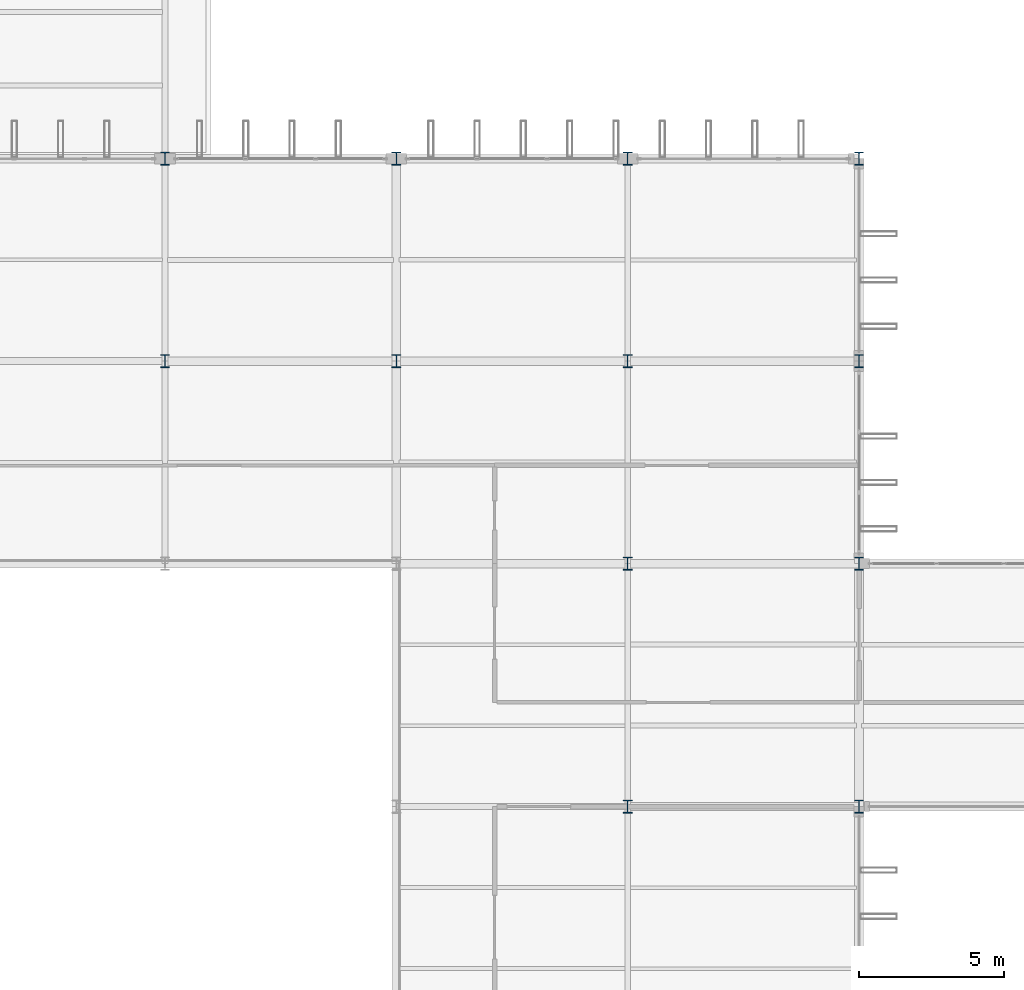
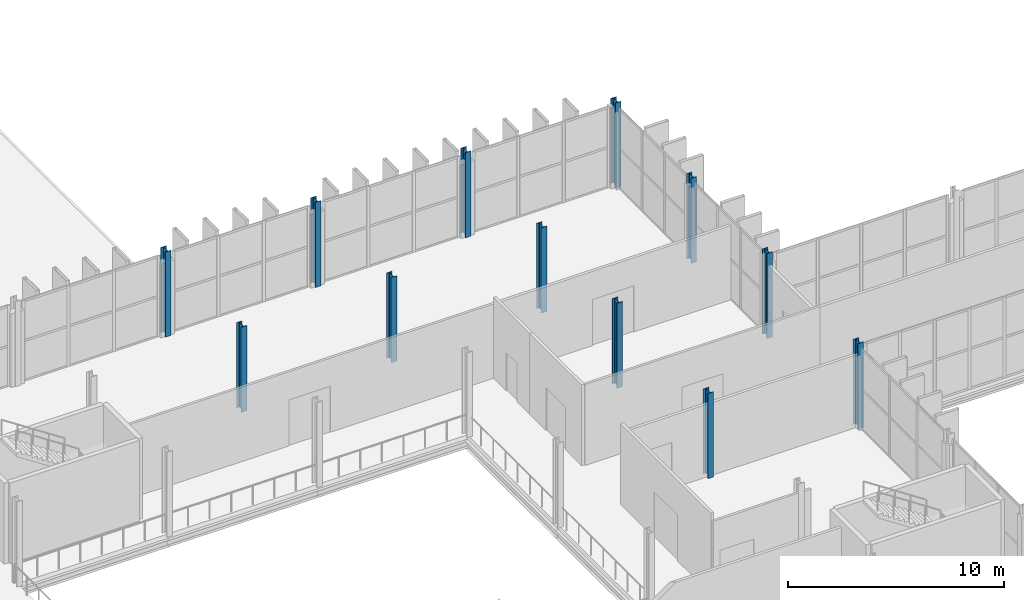
# One storey, part 10 of 120: 12 columns.
"""IFC4 building model written with IfcOpenShell, lengths in metres."""

import ifcopenshell
import ifcopenshell.guid

model = None  # the IFC model being written
_history = None  # IfcOwnerHistory: only IFC2X3 demands one
_inside = {}  # id of a spatial element -> (the spatial element, [elements in it])
_under = {}  # id of a project, library or spatial element -> (it, [spatial elements below it])
_declared = {}  # id of a project -> (the project, [libraries it declares])
_typed = {}  # id of a type object -> (the type object, [elements of that type])
_made_of = {}  # id of a material, layer set ... -> (it, [elements and type objects made of it])


def new_model(schema):
    """Start an empty IFC model of exactly this schema.

    Asked for "IFC4X3", IfcOpenShell would pick the latest addendum, in which some entities
    have other attributes; the version numbers below select the first issue.
    IFC2X3 requires an IfcOwnerHistory on every rooted entity: one is made here for all.
    """
    global model, _history
    if schema == "IFC4X3":
        model = ifcopenshell.file(schema_version=(4, 3, 0, 0))
    else:
        model = ifcopenshell.file(schema=schema)
    _inside.clear()
    _under.clear()
    _declared.clear()
    _typed.clear()
    _made_of.clear()
    _history = None
    if model.schema == "IFC2X3":
        org = make("IfcOrganization", Name="unknown")
        user = make(
            "IfcPersonAndOrganization",
            ThePerson=make("IfcPerson", FamilyName="unknown"),
            TheOrganization=org,
        )
        app = make(
            "IfcApplication",
            ApplicationDeveloper=org,
            Version="unknown",
            ApplicationFullName="unknown",
            ApplicationIdentifier="unknown",
        )
        _history = make(
            "IfcOwnerHistory",
            OwningUser=user,
            OwningApplication=app,
            ChangeAction="ADDED",
            CreationDate=0,
        )
    return model


def make(cls, **values):
    """One entity of the class cls with the attributes given. An attribute that is None is left unset."""
    return model.create_entity(
        cls, **{name: value for name, value in values.items() if value is not None}
    )


def rooted(cls, **values):
    """An entity with a GlobalId (a new one), such as an element, a storey or a relation."""
    return make(cls, GlobalId=ifcopenshell.guid.new(), OwnerHistory=_history, **values)


def si_unit(unit_type, name, prefix=None):
    """IfcSIUnit, for example si_unit("LENGTHUNIT", "METRE", prefix="MILLI")."""
    return make("IfcSIUnit", UnitType=unit_type, Prefix=prefix, Name=name)


def assignment(units):
    """IfcUnitAssignment: the units of a project."""
    return None if units is None else make("IfcUnitAssignment", Units=units)


def point(xyz):
    """IfcCartesianPoint."""
    return None if xyz is None else make("IfcCartesianPoint", Coordinates=xyz)


def direction(xyz):
    """IfcDirection."""
    return None if xyz is None else make("IfcDirection", DirectionRatios=xyz)


def frame(location, z_axis=None, x_axis=None):
    """IfcAxis2Placement3D, a coordinate frame: its origin and axes. An axis left out is left unset."""
    return make(
        "IfcAxis2Placement3D",
        Location=point(location),
        Axis=direction(z_axis),
        RefDirection=direction(x_axis),
    )


def frame_2d(location, x_axis=None):
    """IfcAxis2Placement2D, a coordinate frame in the plane: its origin and x axis."""
    return make(
        "IfcAxis2Placement2D", Location=point(location), RefDirection=direction(x_axis)
    )


def origin():
    """The frame at (0, 0, 0) with its axes left unset."""
    return frame((0.0, 0.0, 0.0))


def origin_2d():
    """The frame at (0, 0) in the plane with its x axis left unset."""
    return frame_2d((0.0, 0.0))


def place(relative_to, where):
    """IfcLocalPlacement: puts the frame where relative to a parent placement (None: the world)."""
    return make(
        "IfcLocalPlacement", PlacementRelTo=relative_to, RelativePlacement=where
    )


def context(
    kind, dimensions, precision=None, world=None, true_north=None, identifier=None
):
    """IfcGeometricRepresentationContext, for example the 3D "Model" context."""
    return make(
        "IfcGeometricRepresentationContext",
        ContextIdentifier=identifier,
        ContextType=kind,
        CoordinateSpaceDimension=dimensions,
        Precision=precision,
        WorldCoordinateSystem=world,
        TrueNorth=true_north,
    )


def subcontext(parent, identifier, kind, view, scale=None):
    """IfcGeometricRepresentationSubContext, for example "Body" below "Model"."""
    return make(
        "IfcGeometricRepresentationSubContext",
        ContextIdentifier=identifier,
        ContextType=kind,
        ParentContext=parent,
        TargetScale=scale,
        TargetView=view,
    )


def project(units=None, contexts=None):
    """IfcProject with its units and contexts."""
    return rooted(
        "IfcProject",
        Name="project",
        RepresentationContexts=contexts,
        UnitsInContext=assignment(units),
    )


def spatial(cls, under=None, at=None, **own):
    """A site, building, storey or space (cls), placed at a placement, below another one or the project."""
    s = rooted(cls, ObjectPlacement=at, **own)
    if under is not None:
        _under.setdefault(under.id(), (under, []))[1].append(s)
    return s


def profile(cls, at=None, kind="AREA", **sizes):
    """A parametric profile (cls). Its sizes go by their IFC names, for example OverallWidth=200.0."""
    return make(cls, ProfileType=kind, Position=at, **sizes)


def i_section(**sizes):
    """IfcIShapeProfileDef."""
    return profile("IfcIShapeProfileDef", **sizes)


def extrude(swept, where, along, depth):
    """IfcExtrudedAreaSolid: the profile swept, set in the frame where, extruded along a direction by depth."""
    return make(
        "IfcExtrudedAreaSolid",
        SweptArea=swept,
        Position=where,
        ExtrudedDirection=direction(along),
        Depth=depth,
    )


def shape(context_of_items, identifier, shape_type, items):
    """IfcShapeRepresentation: the items that make up one representation, for example the "Body"."""
    return make(
        "IfcShapeRepresentation",
        ContextOfItems=context_of_items,
        RepresentationIdentifier=identifier,
        RepresentationType=shape_type,
        Items=items,
    )


def material(Name=None, Category=None):
    """IfcMaterial."""
    return make("IfcMaterial", Name=Name, Category=Category)


def material_profile(
    of_material, cross_section, Name=None, Category=None, Priority=None
):
    """IfcMaterialProfile: a cross section and its material."""
    return make(
        "IfcMaterialProfile",
        Name=Name,
        Material=of_material,
        Profile=cross_section,
        Priority=Priority,
        Category=Category,
    )


def profile_set(profiles, Name=None, composite=None):
    """IfcMaterialProfileSet."""
    return make(
        "IfcMaterialProfileSet",
        Name=Name,
        MaterialProfiles=profiles,
        CompositeProfile=composite,
    )


def made_of(thing, what):
    """Note that an element or type object is made of a material, layer set ...; save() writes the relation."""
    if what is not None:
        _made_of.setdefault(what.id(), (what, []))[1].append(thing)
    return thing


def type_object(cls, material=None, **own):
    """A type object (cls), such as IfcWallType, which elements share."""
    return made_of(rooted(cls, **own), material)


def element(
    cls,
    number,
    at=None,
    inside=None,
    cuts=None,
    type_object=None,
    material=None,
    context=None,
    identifier="Body",
    shape_type=None,
    held_by="IfcProductDefinitionShape",
    body=None,
    shapes=None,
    **own,
):
    """One element of the class cls, such as IfcWall. Its Tag is "e" and its number.

    at: its placement. inside: the storey or other place that contains it. cuts: it is an
    opening in that element (IfcRelVoidsElement). A single representation is given by context,
    identifier, shape_type and body (its items); several are given by shapes. held_by: the class
    of the entity that holds the representations. save() writes the other relations.
    """
    e = rooted(cls, Tag="e%d" % number, ObjectPlacement=at, **own)
    if body is not None:
        shapes = [shape(context, identifier, shape_type, body)]
    if shapes is not None:
        e.Representation = make(held_by, Representations=shapes)
    if inside is not None:
        _inside.setdefault(inside.id(), (inside, []))[1].append(e)
    if cuts is not None:
        rooted(
            "IfcRelVoidsElement", RelatingBuildingElement=cuts, RelatedOpeningElement=e
        )
    if type_object is not None:
        _typed.setdefault(type_object.id(), (type_object, []))[1].append(e)
    return made_of(e, material)


def aggregate(whole, parts):
    """IfcRelAggregates: a whole, such as a stair, and the parts it consists of."""
    return rooted("IfcRelAggregates", RelatingObject=whole, RelatedObjects=parts)


def save(model, path):
    """Write the relations noted so far, then the file.

    IfcRelAggregates (storeys below a building ...), IfcRelContainedInSpatialStructure (elements
    in a storey), IfcRelDefinesByType, IfcRelAssociatesMaterial and IfcRelDeclares: one each for
    every whole, place, type object, material and project.
    """
    for whole, parts in _under.values():
        aggregate(whole, parts)
    for where, things in _inside.values():
        rooted(
            "IfcRelContainedInSpatialStructure",
            RelatedElements=things,
            RelatingStructure=where,
        )
    for kind, things in _typed.values():
        rooted("IfcRelDefinesByType", RelatedObjects=things, RelatingType=kind)
    for what, things in _made_of.values():
        rooted("IfcRelAssociatesMaterial", RelatedObjects=things, RelatingMaterial=what)
    for by, libraries in _declared.values():
        rooted("IfcRelDeclares", RelatingContext=by, RelatedDefinitions=libraries)
    model.write(path)


model = new_model("IFC4")

# Units and contexts
model_context = context("Model", 3, precision=1e-05, world=origin(), true_north=direction((0.0, 1.0)))
body_context = subcontext(model_context, "Body", "Model", "MODEL_VIEW")
ifc_project = project(units=[si_unit("LENGTHUNIT", "METRE"), si_unit("AREAUNIT", "SQUARE_METRE"), si_unit("VOLUMEUNIT", "CUBIC_METRE"), si_unit("PLANEANGLEUNIT", "RADIAN"), si_unit("MASSUNIT", "GRAM", prefix="KILO")], contexts=[model_context])

# Site, building, storey
site_placement = place(None, origin())
site = spatial("IfcSite", under=ifc_project, at=site_placement, CompositionType="ELEMENT")
building_placement = place(site_placement, origin())
building = spatial("IfcBuilding", under=site, at=building_placement, Name="Vekula Escarpment Museum", CompositionType="ELEMENT")
storey_placement = place(building_placement, frame((0.0, 0.0, 13.199951171875)))
storey = spatial("IfcBuildingStorey", under=building, at=storey_placement, Name="L03", CompositionType="ELEMENT", Elevation=13.199951171875)

# Columns
ifc_material = material(Name="Steel S355", Category="steel")
ifc_material_profile = material_profile(ifc_material, i_section(OverallWidth=0.300048828125, OverallDepth=0.449951171875, WebThickness=0.013916015625, FlangeThickness=0.02587890625, FilletRadius=0.027099609375, at=origin_2d()), Name="HEB 450")
ifc_profile_set = profile_set([ifc_material_profile], Name="Steel S355")
column_type = type_object("IfcColumnType", Name="COL-S-HEB450", PredefinedType="COLUMN", material=ifc_profile_set)
for number, where, z_axis, x_axis, name in (
    (1, (102.0, 83.39990234375, 0.0), (0.0, 0.0, 1.0), (1.0, 0.0, 0.0), "Column L03 (102.0,83.4)"),
    (2, (102.0, 90.39990234375, 0.0), (0.0, 0.0, 1.0), (1.0, 0.0, 0.0), "Column L03 (102.0,90.4)"),
    (3, (110.0, 83.39990234375, 0.0), (0.0, 0.0, 1.0), (1.0, 0.0, 0.0), "Column L03 (110.0,83.4)"),
    (4, (110.0, 90.39990234375, 0.0), (0.0, 0.0, 1.0), (1.0, 0.0, 0.0), "Column L03 (110.0,90.4)"),
    (5, (118.0, 68.0, 0.0), (0.0, 0.0, 1.0), (1.0, 0.0, 0.0), "Column L03 (118.0,68.0)"),
    (6, (118.0, 76.39990234375, 0.0), (0.0, 0.0, 1.0), (1.0, 0.0, 0.0), "Column L03 (118.0,76.4)"),
    (7, (118.0, 83.39990234375, 0.0), (0.0, 0.0, 1.0), (1.0, 0.0, 0.0), "Column L03 (118.0,83.4)"),
    (8, (118.0, 90.39990234375, 0.0), (0.0, 0.0, 1.0), (1.0, 0.0, 0.0), "Column L03 (118.0,90.4)"),
    (9, (126.0, 68.0, 0.0), (0.0, 0.0, 1.0), (1.0, 0.0, 0.0), "Column L03 (126.0,68.0)"),
    (10, (126.0, 76.39990234375, 0.0), (0.0, 0.0, 1.0), (1.0, 0.0, 0.0), "Column L03 (126.0,76.4)"),
    (11, (126.0, 83.39990234375, 0.0), (0.0, 0.0, 1.0), (1.0, 0.0, 0.0), "Column L03 (126.0,83.4)"),
    (12, (126.0, 90.39990234375, 0.0), (0.0, 0.0, 1.0), (1.0, 0.0, 0.0), "Column L03 (126.0,90.4)"),
):
    element("IfcColumn", number, at=place(storey_placement, frame(where, z_axis=z_axis, x_axis=x_axis)), inside=storey, type_object=column_type, Name=name, PredefinedType="COLUMN", context=body_context, shape_type="SweptSolid", body=[
        extrude(i_section(OverallWidth=0.300048828125, OverallDepth=0.449951171875, WebThickness=0.013916015625, FlangeThickness=0.02587890625, FilletRadius=0.027099609375, at=origin_2d()), origin(), (0.0, 0.0, 1.0), 4.800048828125),
    ])

save(model, "model.ifc")
